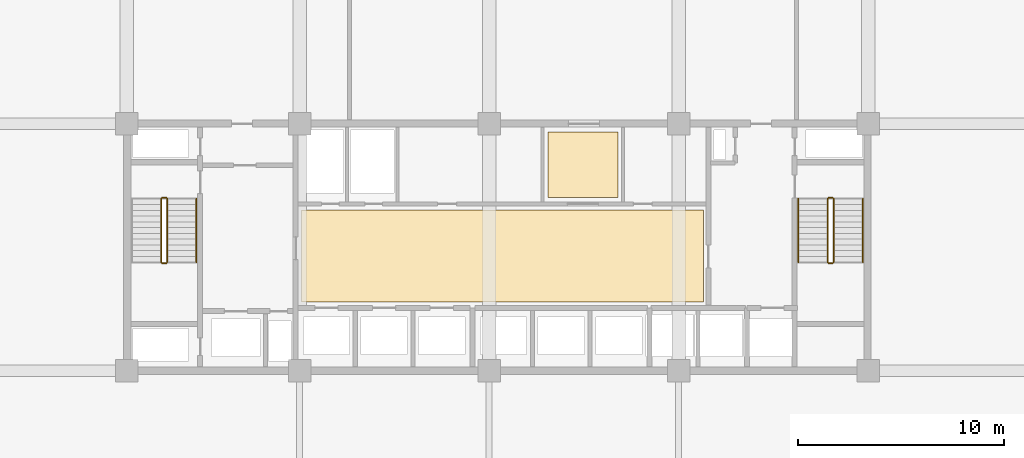
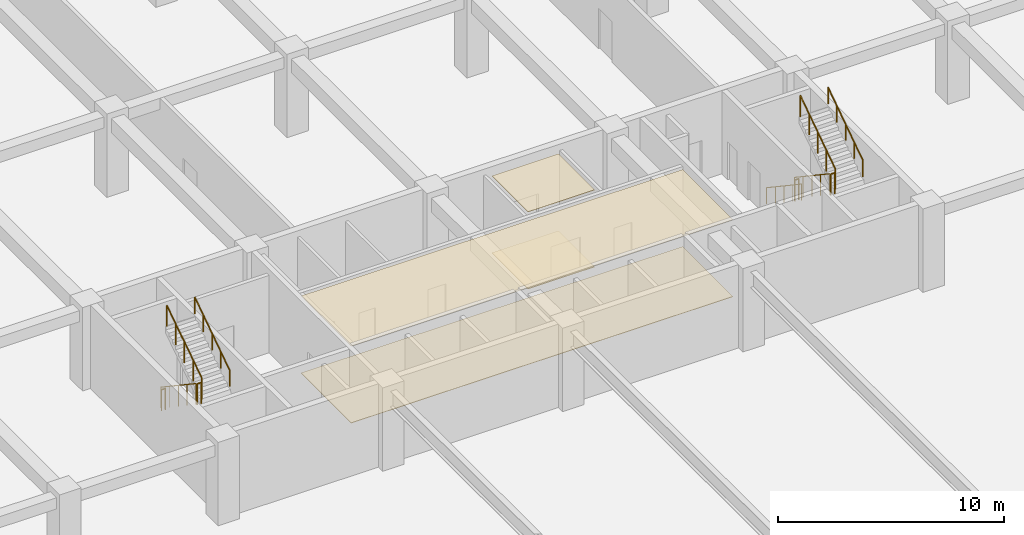
# One storey, part 36 of 40: 11 railings, 4 coverings.
"""IFC4 building model written with IfcOpenShell, lengths in metres."""

from ifc_helpers import new_model, si_unit, direction, frame, origin, origin_2d, place, context, subcontext, project, spatial, polyline, circle, outline, extrude, material, layer, layer_set, type_object, element, save


model = new_model("IFC4")

# Units and contexts
model_context = context("Model", 3, precision=1e-05, world=origin(), true_north=direction((0.0, 1.0)))
body_context = subcontext(model_context, "Body", "Model", "MODEL_VIEW")
ifc_project = project(units=[si_unit("LENGTHUNIT", "METRE"), si_unit("AREAUNIT", "SQUARE_METRE"), si_unit("VOLUMEUNIT", "CUBIC_METRE"), si_unit("PLANEANGLEUNIT", "RADIAN"), si_unit("MASSUNIT", "GRAM", prefix="KILO")], contexts=[model_context])

# Site, building, storey
site_placement = place(None, origin())
site = spatial("IfcSite", under=ifc_project, at=site_placement, CompositionType="ELEMENT")
building_placement = place(site_placement, origin())
building = spatial("IfcBuilding", under=site, at=building_placement, Name="Korimba Cascade Residences", CompositionType="ELEMENT")
storey_placement = place(building_placement, frame((0.0, 0.0, 14.5)))
storey = spatial("IfcBuildingStorey", under=building, at=storey_placement, Name="L03", CompositionType="ELEMENT", Elevation=14.5)

# Coverings
ifc_material_1 = material(Name="Perforated Acoustic Gypsum Ceiling", Category="gypsum")
ifc_layer_1 = layer(ifc_material_1, 0.02490234375)
ifc_layer_set_1 = layer_set([ifc_layer_1], Name="Perforated Acoustic Gypsum Ceiling")
covering_type_1 = type_object("IfcCoveringType", Name="COV-CLG-AC", PredefinedType="CEILING", material=ifc_layer_set_1)
covering_1_placement = place(storey_placement, frame((0.0, 0.0, 4.155029296875)))
element("IfcCovering", 1, at=covering_1_placement, inside=storey, type_object=covering_type_1, Name="L03 Suspended Acoustic Ceiling L03-LL1", PredefinedType="CEILING", context=body_context, shape_type="SweptSolid", body=[
    extrude(outline(polyline([(84.60009765625, 58.550048828125), (104.10009765625, 58.550048828125), (104.10009765625, 63.0), (84.60009765625, 63.0), (84.60009765625, 58.550048828125)])), origin(), (0.0, 0.0, 1.0), 0.02490234375),
])
covering_2_placement = place(storey_placement, frame((0.0, 0.0, 4.155029296875)))
element("IfcCovering", 2, at=covering_2_placement, inside=storey, type_object=covering_type_1, Name="L03 Suspended Acoustic Ceiling L03-LT1", PredefinedType="CEILING", context=body_context, shape_type="SweptSolid", body=[
    extrude(outline(polyline([(96.550048828125, 63.60009765625), (99.949951171875, 63.60009765625), (99.949951171875, 66.800048828125), (96.550048828125, 66.800048828125), (96.550048828125, 63.60009765625)])), origin(), (0.0, 0.0, 1.0), 0.02490234375),
])
ifc_material_2 = material(Name="Honed Travertine Stone Flooring", Category="masonry")
ifc_layer_2 = layer(ifc_material_2, 0.02490234375)
ifc_layer_set_2 = layer_set([ifc_layer_2], Name="Honed Travertine Stone Flooring")
covering_type_2 = type_object("IfcCoveringType", Name="COV-FLR-STN", PredefinedType="FLOORING", material=ifc_layer_set_2)
covering_3_placement = place(storey_placement, origin())
element("IfcCovering", 3, at=covering_3_placement, inside=storey, type_object=covering_type_2, Name="L03 Honed Travertine Stone Flooring L03-LL1", PredefinedType="FLOORING", context=body_context, shape_type="SweptSolid", body=[
    extrude(outline(polyline([(84.60009765625, 58.550048828125), (104.10009765625, 58.550048828125), (104.10009765625, 63.0), (84.60009765625, 63.0), (84.60009765625, 58.550048828125)])), origin(), (0.0, 0.0, 1.0), 0.02490234375),
])
covering_4_placement = place(storey_placement, origin())
element("IfcCovering", 4, at=covering_4_placement, inside=storey, type_object=covering_type_2, Name="L03 Honed Travertine Stone Flooring L03-LT1", PredefinedType="FLOORING", context=body_context, shape_type="SweptSolid", body=[
    extrude(outline(polyline([(96.550048828125, 63.60009765625), (99.949951171875, 63.60009765625), (99.949951171875, 66.800048828125), (96.550048828125, 66.800048828125), (96.550048828125, 63.60009765625)])), origin(), (0.0, 0.0, 1.0), 0.02490234375),
])

# Railings
ifc_material_3 = material(Name="Painted Steel Stairwell Guardrail", Category="steel")
railing_type_1 = type_object("IfcRailingType", Name="RLG-ST-GD1150", PredefinedType="GUARDRAIL", material=ifc_material_3)
railing_1_placement = place(storey_placement, frame((77.77001953125, 63.550048828125, 0.1875)))
element("IfcRailing", 5, at=railing_1_placement, inside=storey, type_object=railing_type_1, Name="L03 ST-W1 stair guard 1", PredefinedType="GUARDRAIL", context=body_context, shape_type="SweptSolid", body=[
    extrude(circle(Radius=0.02392578125, at=origin_2d()), frame((0.0, 0.0, 1.1259765625), z_axis=(0.0, -0.830913701846, 0.55640131208), x_axis=(1.0, 0.0, 0.0)), (0.0, 0.0, 1.0), 3.706787109375),
    extrude(circle(Radius=0.02099609375, at=origin_2d()), origin(), (0.0, 0.0, 1.0), 1.101806640625),
    extrude(circle(Radius=0.02099609375, at=origin_2d()), frame((0.0, -0.77001953125, 0.515625)), (0.0, 0.0, 1.0), 1.101806640625),
    extrude(circle(Radius=0.02099609375, at=origin_2d()), frame((0.0, -1.5400390625, 1.03125)), (0.0, 0.0, 1.0), 1.101806640625),
    extrude(circle(Radius=0.02099609375, at=origin_2d()), frame((0.0, -2.31005859375, 1.546875)), (0.0, 0.0, 1.0), 1.101806640625),
    extrude(circle(Radius=0.02099609375, at=origin_2d()), frame((0.0, -3.080078125, 2.0625)), (0.0, 0.0, 1.0), 1.101806640625),
])
railing_2_placement = place(storey_placement, frame((77.820068359375, 60.419921875, 2.25)))
element("IfcRailing", 6, at=railing_2_placement, inside=storey, type_object=railing_type_1, Name="L03 ST-W1 stair guard 2", PredefinedType="GUARDRAIL", context=body_context, shape_type="SweptSolid", body=[
    extrude(circle(Radius=0.02392578125, at=origin_2d()), frame((0.0, 0.0, 1.1259765625), z_axis=(1.0, 0.0, 0.0), x_axis=(0.0, 1.0, 0.0)), (0.0, 0.0, 1.0), 0.199951171875),
    extrude(circle(Radius=0.02099609375, at=origin_2d()), origin(), (0.0, 0.0, 1.0), 1.101806640625),
    extrude(circle(Radius=0.02099609375, at=origin_2d()), frame((0.199951171875, 0.0, 0.0)), (0.0, 0.0, 1.0), 1.101806640625),
])
railing_3_placement = place(storey_placement, frame((78.070068359375, 60.469970703125, 2.4375)))
element("IfcRailing", 7, at=railing_3_placement, inside=storey, type_object=railing_type_1, Name="L03 ST-W1 stair guard 3", PredefinedType="GUARDRAIL", context=body_context, shape_type="SweptSolid", body=[
    extrude(circle(Radius=0.02392578125, at=origin_2d()), frame((0.0, 0.0, 1.1259765625), z_axis=(0.0, 0.830913701846, 0.55640131208), x_axis=(-1.0, 0.0, 0.0)), (0.0, 0.0, 1.0), 3.706787109375),
    extrude(circle(Radius=0.02099609375, at=origin_2d()), origin(), (0.0, 0.0, 1.0), 1.101806640625),
    extrude(circle(Radius=0.02099609375, at=origin_2d()), frame((0.0, 0.77001953125, 0.515625)), (0.0, 0.0, 1.0), 1.101806640625),
    extrude(circle(Radius=0.02099609375, at=origin_2d()), frame((0.0, 1.5400390625, 1.03125)), (0.0, 0.0, 1.0), 1.101806640625),
    extrude(circle(Radius=0.02099609375, at=origin_2d()), frame((0.0, 2.31005859375, 1.546875)), (0.0, 0.0, 1.0), 1.101806640625),
    extrude(circle(Radius=0.02099609375, at=origin_2d()), frame((0.0, 3.080078125, 2.0625)), (0.0, 0.0, 1.0), 1.101806640625),
])
railing_4_placement = place(storey_placement, frame((77.820068359375, 63.60009765625, 0.0)))
element("IfcRailing", 8, at=railing_4_placement, inside=storey, type_object=railing_type_1, Name="L03 ST-W1 stair guard 4", PredefinedType="GUARDRAIL", context=body_context, shape_type="SweptSolid", body=[
    extrude(circle(Radius=0.02392578125, at=origin_2d()), frame((0.0, 0.0, 1.1259765625), z_axis=(1.0, 0.0, 0.0), x_axis=(0.0, 1.0, 0.0)), (0.0, 0.0, 1.0), 0.199951171875),
    extrude(circle(Radius=0.02099609375, at=origin_2d()), origin(), (0.0, 0.0, 1.0), 1.101806640625),
    extrude(circle(Radius=0.02099609375, at=origin_2d()), frame((0.199951171875, 0.0, 0.0)), (0.0, 0.0, 1.0), 1.101806640625),
])
railing_5_placement = place(storey_placement, frame((110.1298828125, 63.550048828125, 0.1875)))
element("IfcRailing", 9, at=railing_5_placement, inside=storey, type_object=railing_type_1, Name="L03 ST-W2 stair guard 1", PredefinedType="GUARDRAIL", context=body_context, shape_type="SweptSolid", body=[
    extrude(circle(Radius=0.02392578125, at=origin_2d()), frame((0.0, 0.0, 1.1259765625), z_axis=(0.0, -0.830913701846, 0.55640131208), x_axis=(1.0, 0.0, 0.0)), (0.0, 0.0, 1.0), 3.706787109375),
    extrude(circle(Radius=0.02099609375, at=origin_2d()), origin(), (0.0, 0.0, 1.0), 1.101806640625),
    extrude(circle(Radius=0.02099609375, at=origin_2d()), frame((0.0, -0.77001953125, 0.515625)), (0.0, 0.0, 1.0), 1.101806640625),
    extrude(circle(Radius=0.02099609375, at=origin_2d()), frame((0.0, -1.5400390625, 1.03125)), (0.0, 0.0, 1.0), 1.101806640625),
    extrude(circle(Radius=0.02099609375, at=origin_2d()), frame((0.0, -2.31005859375, 1.546875)), (0.0, 0.0, 1.0), 1.101806640625),
    extrude(circle(Radius=0.02099609375, at=origin_2d()), frame((0.0, -3.080078125, 2.0625)), (0.0, 0.0, 1.0), 1.101806640625),
])
railing_6_placement = place(storey_placement, frame((110.179931640625, 60.419921875, 2.25)))
element("IfcRailing", 10, at=railing_6_placement, inside=storey, type_object=railing_type_1, Name="L03 ST-W2 stair guard 2", PredefinedType="GUARDRAIL", context=body_context, shape_type="SweptSolid", body=[
    extrude(circle(Radius=0.02392578125, at=origin_2d()), frame((0.0, 0.0, 1.1259765625), z_axis=(1.0, 0.0, 0.0), x_axis=(0.0, 1.0, 0.0)), (0.0, 0.0, 1.0), 0.199951171875),
    extrude(circle(Radius=0.02099609375, at=origin_2d()), origin(), (0.0, 0.0, 1.0), 1.101806640625),
    extrude(circle(Radius=0.02099609375, at=origin_2d()), frame((0.199951171875, 0.0, 0.0)), (0.0, 0.0, 1.0), 1.101806640625),
])
railing_7_placement = place(storey_placement, frame((110.429931640625, 60.469970703125, 2.4375)))
element("IfcRailing", 11, at=railing_7_placement, inside=storey, type_object=railing_type_1, Name="L03 ST-W2 stair guard 3", PredefinedType="GUARDRAIL", context=body_context, shape_type="SweptSolid", body=[
    extrude(circle(Radius=0.02392578125, at=origin_2d()), frame((0.0, 0.0, 1.1259765625), z_axis=(0.0, 0.830913701846, 0.55640131208), x_axis=(-1.0, 0.0, 0.0)), (0.0, 0.0, 1.0), 3.706787109375),
    extrude(circle(Radius=0.02099609375, at=origin_2d()), origin(), (0.0, 0.0, 1.0), 1.101806640625),
    extrude(circle(Radius=0.02099609375, at=origin_2d()), frame((0.0, 0.77001953125, 0.515625)), (0.0, 0.0, 1.0), 1.101806640625),
    extrude(circle(Radius=0.02099609375, at=origin_2d()), frame((0.0, 1.5400390625, 1.03125)), (0.0, 0.0, 1.0), 1.101806640625),
    extrude(circle(Radius=0.02099609375, at=origin_2d()), frame((0.0, 2.31005859375, 1.546875)), (0.0, 0.0, 1.0), 1.101806640625),
    extrude(circle(Radius=0.02099609375, at=origin_2d()), frame((0.0, 3.080078125, 2.0625)), (0.0, 0.0, 1.0), 1.101806640625),
])
railing_8_placement = place(storey_placement, frame((110.179931640625, 63.60009765625, 0.0)))
element("IfcRailing", 12, at=railing_8_placement, inside=storey, type_object=railing_type_1, Name="L03 ST-W2 stair guard 4", PredefinedType="GUARDRAIL", context=body_context, shape_type="SweptSolid", body=[
    extrude(circle(Radius=0.02392578125, at=origin_2d()), frame((0.0, 0.0, 1.1259765625), z_axis=(1.0, 0.0, 0.0), x_axis=(0.0, 1.0, 0.0)), (0.0, 0.0, 1.0), 0.199951171875),
    extrude(circle(Radius=0.02099609375, at=origin_2d()), origin(), (0.0, 0.0, 1.0), 1.101806640625),
    extrude(circle(Radius=0.02099609375, at=origin_2d()), frame((0.199951171875, 0.0, 0.0)), (0.0, 0.0, 1.0), 1.101806640625),
])
ifc_material_4 = material(Name="Brushed Stainless Steel Handrail", Category="steel")
railing_type_2 = type_object("IfcRailingType", Name="RLG-ST-HR900", PredefinedType="HANDRAIL", material=ifc_material_4)
railing_9_placement = place(storey_placement, frame((79.489990234375, 60.469970703125, 2.629150390625)))
element("IfcRailing", 13, at=railing_9_placement, inside=storey, type_object=railing_type_2, Name="L03 ST-W1 stair handrail 2", PredefinedType="HANDRAIL", context=body_context, shape_type="SweptSolid", body=[
    extrude(circle(Radius=0.02392578125, at=origin_2d()), frame((0.0, 0.0, 0.8759765625), z_axis=(0.0, 0.830913701846, 0.55640131208), x_axis=(-1.0, 0.0, 0.0)), (0.0, 0.0, 1.0), 3.706787109375),
    extrude(circle(Radius=0.02099609375, at=origin_2d()), origin(), (0.0, 0.0, 1.0), 0.851806640625),
    extrude(circle(Radius=0.02099609375, at=origin_2d()), frame((0.0, 0.77001953125, 0.515625)), (0.0, 0.0, 1.0), 0.851806640625),
    extrude(circle(Radius=0.02099609375, at=origin_2d()), frame((0.0, 1.5400390625, 1.03125)), (0.0, 0.0, 1.0), 0.851806640625),
    extrude(circle(Radius=0.02099609375, at=origin_2d()), frame((0.0, 2.31005859375, 1.546875)), (0.0, 0.0, 1.0), 0.851806640625),
    extrude(circle(Radius=0.02099609375, at=origin_2d()), frame((0.0, 3.080078125, 2.0625)), (0.0, 0.0, 1.0), 0.851806640625),
])
railing_10_placement = place(storey_placement, frame((108.7099609375, 63.550048828125, 0.379150390625)))
element("IfcRailing", 14, at=railing_10_placement, inside=storey, type_object=railing_type_2, Name="L03 ST-W2 stair handrail 1", PredefinedType="HANDRAIL", context=body_context, shape_type="SweptSolid", body=[
    extrude(circle(Radius=0.02392578125, at=origin_2d()), frame((0.0, 0.0, 0.8759765625), z_axis=(0.0, -0.830913701846, 0.55640131208), x_axis=(1.0, 0.0, 0.0)), (0.0, 0.0, 1.0), 3.706787109375),
    extrude(circle(Radius=0.02099609375, at=origin_2d()), origin(), (0.0, 0.0, 1.0), 0.851806640625),
    extrude(circle(Radius=0.02099609375, at=origin_2d()), frame((0.0, -0.77001953125, 0.515625)), (0.0, 0.0, 1.0), 0.851806640625),
    extrude(circle(Radius=0.02099609375, at=origin_2d()), frame((0.0, -1.5400390625, 1.03125)), (0.0, 0.0, 1.0), 0.851806640625),
    extrude(circle(Radius=0.02099609375, at=origin_2d()), frame((0.0, -2.31005859375, 1.546875)), (0.0, 0.0, 1.0), 0.851806640625),
    extrude(circle(Radius=0.02099609375, at=origin_2d()), frame((0.0, -3.080078125, 2.0625)), (0.0, 0.0, 1.0), 0.851806640625),
])
railing_11_placement = place(storey_placement, frame((111.85009765625, 60.469970703125, 2.629150390625)))
element("IfcRailing", 15, at=railing_11_placement, inside=storey, type_object=railing_type_2, Name="L03 ST-W2 stair handrail 2", PredefinedType="HANDRAIL", context=body_context, shape_type="SweptSolid", body=[
    extrude(circle(Radius=0.02392578125, at=origin_2d()), frame((0.0, 0.0, 0.8759765625), z_axis=(0.0, 0.830913701846, 0.55640131208), x_axis=(-1.0, 0.0, 0.0)), (0.0, 0.0, 1.0), 3.706787109375),
    extrude(circle(Radius=0.02099609375, at=origin_2d()), origin(), (0.0, 0.0, 1.0), 0.851806640625),
    extrude(circle(Radius=0.02099609375, at=origin_2d()), frame((0.0, 0.77001953125, 0.515625)), (0.0, 0.0, 1.0), 0.851806640625),
    extrude(circle(Radius=0.02099609375, at=origin_2d()), frame((0.0, 1.5400390625, 1.03125)), (0.0, 0.0, 1.0), 0.851806640625),
    extrude(circle(Radius=0.02099609375, at=origin_2d()), frame((0.0, 2.31005859375, 1.546875)), (0.0, 0.0, 1.0), 0.851806640625),
    extrude(circle(Radius=0.02099609375, at=origin_2d()), frame((0.0, 3.080078125, 2.0625)), (0.0, 0.0, 1.0), 0.851806640625),
])

save(model, "model.ifc")
